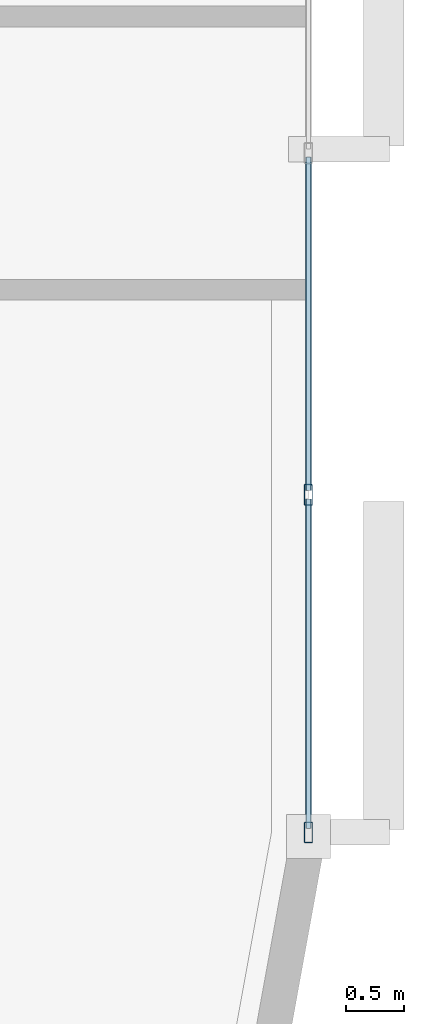
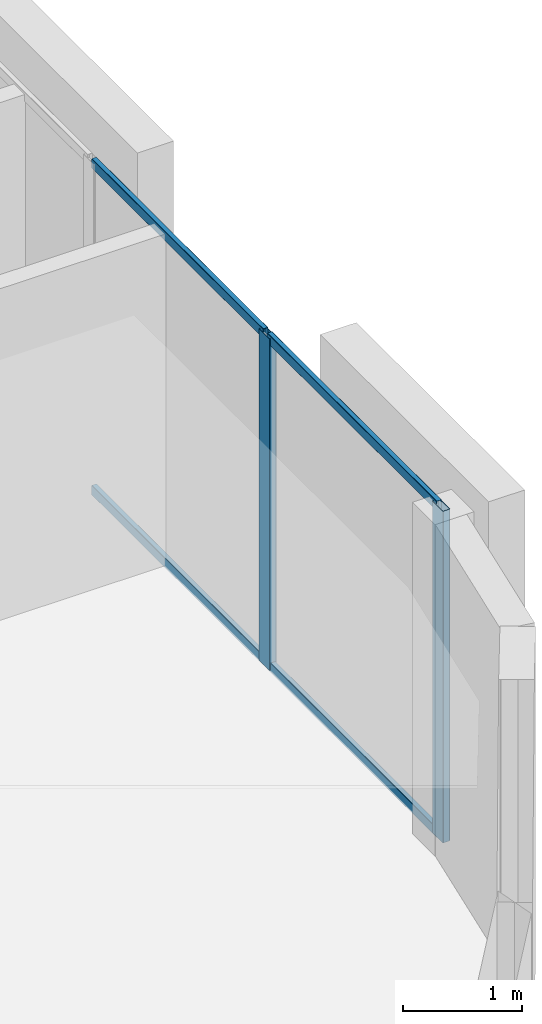
# One storey, part 4 of 13: 6 members, 1 element without a shape of its own.
"""IFC4 building model written with IfcOpenShell, lengths in metres."""

from ifc_helpers import new_model, si_unit, direction, frame, origin, origin_2d, place, context, subcontext, project, spatial, hollow_rectangle, extrude, material, layer, layer_set, material_profile, profile_set, type_object, element, aggregate, save


model = new_model("IFC4")

# Units and contexts
model_context = context("Model", 3, precision=1e-05, world=origin(), true_north=direction((0.0, 1.0)))
body_context = subcontext(model_context, "Body", "Model", "MODEL_VIEW")
ifc_project = project(units=[si_unit("LENGTHUNIT", "METRE"), si_unit("AREAUNIT", "SQUARE_METRE"), si_unit("VOLUMEUNIT", "CUBIC_METRE"), si_unit("PLANEANGLEUNIT", "RADIAN"), si_unit("MASSUNIT", "GRAM", prefix="KILO")], contexts=[model_context])

# Site, building, storey
site_placement = place(None, origin())
site = spatial("IfcSite", under=ifc_project, at=site_placement, CompositionType="ELEMENT")
building_placement = place(site_placement, origin())
building = spatial("IfcBuilding", under=site, at=building_placement, Name="An Khanh Terracotta Commons", CompositionType="ELEMENT")
storey_placement = place(building_placement, frame((0.0, 0.0, 204.89990234375)))
storey = spatial("IfcBuildingStorey", under=building, at=storey_placement, Name="L53", CompositionType="ELEMENT", Elevation=204.89990234375)

# Curtain wall, members
ifc_material = material(Name="Anodised Aluminium 6063-T6", Category="aluminium")
ifc_layer = layer(ifc_material, 0.2099609375, Name="Anodised Aluminium 6063-T6")
ifc_layer_set = layer_set([ifc_layer], Name="Anodised Aluminium 6063-T6")
curtain_wall_type = type_object("IfcCurtainWallType", Name="CW-SYS-03", PredefinedType="USERDEFINED", material=ifc_layer_set)
curtain_wall_placement = place(storey_placement, origin())
curtain_wall = element("IfcCurtainWall", 1, at=curtain_wall_placement, inside=storey, type_object=curtain_wall_type, Name="L53 CW-03 Unitised Curtain Wall CW-L53-12", ObjectType="UNITISED CURTAIN WALL", PredefinedType="USERDEFINED")
ifc_material_profile_1 = material_profile(ifc_material, hollow_rectangle(XDim=0.070068359375, YDim=0.179931640625, WallThickness=0.00390625, InnerFilletRadius=0.00390625, OuterFilletRadius=0.008056640625, at=origin_2d()), Name="RHS180x70x4")
ifc_profile_set_1 = profile_set([ifc_material_profile_1], Name="Anodised Aluminium 6063-T6")
member_type_1 = type_object("IfcMemberType", Name="CWM-RHS180x70x4", PredefinedType="MULLION", material=ifc_profile_set_1)
member_1_placement = place(storey_placement, frame((68.60009765625, 18.135986328125, 0.0), z_axis=(0.0, 0.0, 1.0), x_axis=(-1.0, 0.0, 0.0)))
member_1 = element("IfcMember", 2, at=member_1_placement, type_object=member_type_1, Name="CW-03 mullion 1", PredefinedType="MULLION", context=body_context, shape_type="SweptSolid", body=[
    extrude(hollow_rectangle(XDim=0.070068359375, YDim=0.179931640625, WallThickness=0.00390625, InnerFilletRadius=0.00390625, OuterFilletRadius=0.008056640625, at=origin_2d()), origin(), (0.0, 0.0, 1.0), 3.400146484375),
])
member_2_placement = place(storey_placement, frame((68.60009765625, 21.050537109375, 0.0), z_axis=(0.0, 0.0, 1.0), x_axis=(-1.0, 0.0, 0.0)))
member_2 = element("IfcMember", 3, at=member_2_placement, type_object=member_type_1, Name="CW-03 mullion 2", PredefinedType="MULLION", context=body_context, shape_type="SweptSolid", body=[
    extrude(hollow_rectangle(XDim=0.070068359375, YDim=0.179931640625, WallThickness=0.00390625, InnerFilletRadius=0.00390625, OuterFilletRadius=0.008056640625, at=origin_2d()), origin(), (0.0, 0.0, 1.0), 3.400146484375),
])
ifc_material_profile_2 = material_profile(ifc_material, hollow_rectangle(XDim=0.050048828125, YDim=0.10009765625, WallThickness=0.003173828125, InnerFilletRadius=0.003173828125, OuterFilletRadius=0.00634765625, at=origin_2d()), Name="RHS100x50x3.2")
ifc_profile_set_2 = profile_set([ifc_material_profile_2], Name="Anodised Aluminium 6063-T6")
member_type_2 = type_object("IfcMemberType", Name="CWT-RHS100x50x3.2", PredefinedType="USERDEFINED", material=ifc_profile_set_2)
member_3_placement = place(storey_placement, frame((68.60009765625, 18.1708984375, 0.025146484375), z_axis=(0.0, 1.0, 0.0), x_axis=(-1.0, 0.0, 0.0)))
member_3 = element("IfcMember", 4, at=member_3_placement, type_object=member_type_2, Name="CW-03 transom 1.1", ObjectType="TRANSOM", PredefinedType="USERDEFINED", context=body_context, shape_type="SweptSolid", body=[
    extrude(hollow_rectangle(XDim=0.050048828125, YDim=0.10009765625, WallThickness=0.003173828125, InnerFilletRadius=0.003173828125, OuterFilletRadius=0.00634765625, at=origin_2d()), origin(), (0.0, 0.0, 1.0), 2.844482421875),
])
member_4_placement = place(storey_placement, frame((68.60009765625, 18.1708984375, 3.375), z_axis=(0.0, 1.0, 0.0), x_axis=(-1.0, 0.0, 0.0)))
member_4 = element("IfcMember", 5, at=member_4_placement, type_object=member_type_2, Name="CW-03 transom 1.2", ObjectType="TRANSOM", PredefinedType="USERDEFINED", context=body_context, shape_type="SweptSolid", body=[
    extrude(hollow_rectangle(XDim=0.050048828125, YDim=0.10009765625, WallThickness=0.003173828125, InnerFilletRadius=0.003173828125, OuterFilletRadius=0.00634765625, at=origin_2d()), origin(), (0.0, 0.0, 1.0), 2.844482421875),
])
member_5_placement = place(storey_placement, frame((68.60009765625, 21.08544921875, 0.025146484375), z_axis=(0.0, 1.0, 0.0), x_axis=(-1.0, 0.0, 0.0)))
member_5 = element("IfcMember", 6, at=member_5_placement, type_object=member_type_2, Name="CW-03 transom 2.1", ObjectType="TRANSOM", PredefinedType="USERDEFINED", context=body_context, shape_type="SweptSolid", body=[
    extrude(hollow_rectangle(XDim=0.050048828125, YDim=0.10009765625, WallThickness=0.003173828125, InnerFilletRadius=0.003173828125, OuterFilletRadius=0.00634765625, at=origin_2d()), origin(), (0.0, 0.0, 1.0), 2.879638671875),
])
member_6_placement = place(storey_placement, frame((68.60009765625, 21.08544921875, 3.375), z_axis=(0.0, 1.0, 0.0), x_axis=(-1.0, 0.0, 0.0)))
member_6 = element("IfcMember", 7, at=member_6_placement, type_object=member_type_2, Name="CW-03 transom 2.2", ObjectType="TRANSOM", PredefinedType="USERDEFINED", context=body_context, shape_type="SweptSolid", body=[
    extrude(hollow_rectangle(XDim=0.050048828125, YDim=0.10009765625, WallThickness=0.003173828125, InnerFilletRadius=0.003173828125, OuterFilletRadius=0.00634765625, at=origin_2d()), origin(), (0.0, 0.0, 1.0), 2.879638671875),
])
aggregate(curtain_wall, [member_1, member_2, member_3, member_4, member_5, member_6])

save(model, "model.ifc")
